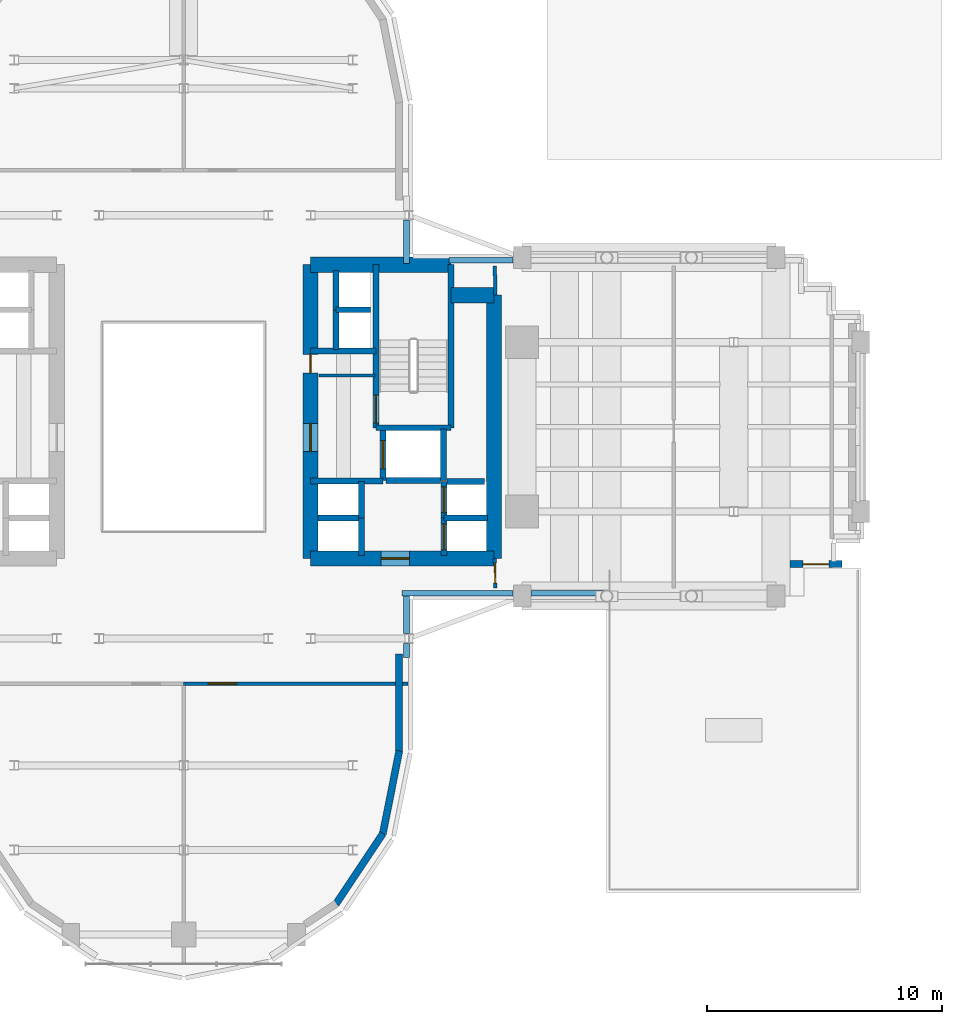
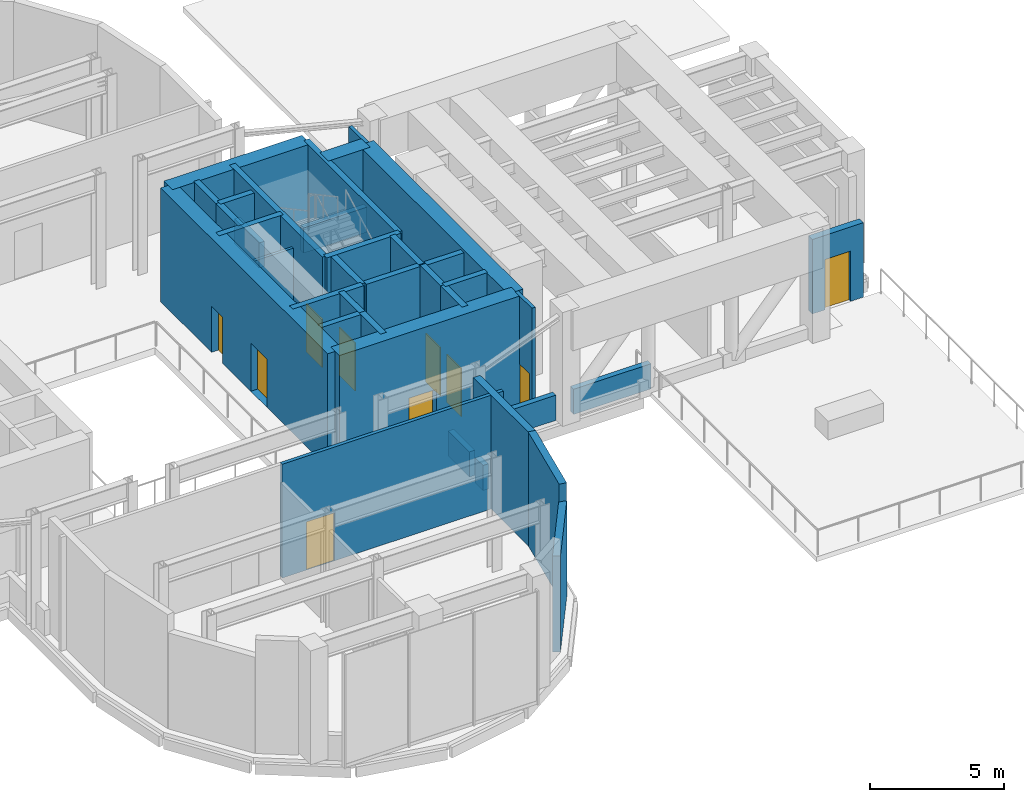
# One storey, part 10 of 16: 37 walls, 10 doors, 10 openings.
"""IFC4 building model written with IfcOpenShell, lengths in metres."""

from ifc_helpers import new_model, si_unit, direction, frame, frame_2d, origin, place, context, subcontext, project, spatial, rectangle, extrude, source, transform, mapped, material, layer, layer_set, type_object, element, fill, save


model = new_model("IFC4")

# Units and contexts
model_context = context("Model", 3, precision=1e-05, world=origin(), true_north=direction((0.0, 1.0)))
body_context = subcontext(model_context, "Body", "Model", "MODEL_VIEW")
ifc_project = project(units=[si_unit("LENGTHUNIT", "METRE"), si_unit("AREAUNIT", "SQUARE_METRE"), si_unit("VOLUMEUNIT", "CUBIC_METRE"), si_unit("PLANEANGLEUNIT", "RADIAN"), si_unit("MASSUNIT", "GRAM", prefix="KILO")], contexts=[model_context])

# Site, building, storey
site_placement = place(None, origin())
site = spatial("IfcSite", under=ifc_project, at=site_placement, CompositionType="ELEMENT")
building_placement = place(site_placement, origin())
building = spatial("IfcBuilding", under=site, at=building_placement, Name="Keilestroom Media Tower", CompositionType="ELEMENT")
storey_placement = place(building_placement, frame((0.0, 0.0, 25.199951171875)))
storey = spatial("IfcBuildingStorey", under=building, at=storey_placement, Name="L05", CompositionType="ELEMENT", Elevation=25.199951171875)

# Walls
ifc_material_1 = material(Name="Precast concrete C40/50", Category="concrete")
ifc_layer_1 = layer(ifc_material_1, 0.300048828125)
ifc_layer_set_1 = layer_set([ifc_layer_1], Name="Precast concrete C40/50")
wall_type_1 = type_object("IfcWallType", Name="Exterior-Masonry-Spandrel-Wall-300", PredefinedType="SOLIDWALL", material=ifc_layer_set_1)
wall_1_placement = place(storey_placement, frame((6.47705078125, -20.2978515625, 0.0), z_axis=(0.0, 0.0, 1.0), x_axis=(0.555574187116, 0.831466970246, 0.0)))
element("IfcWall", 1, at=wall_1_placement, inside=storey, type_object=wall_type_1, Name="L05 Plant Lobe Masonry Wall 14", PredefinedType="SOLIDWALL", context=body_context, shape_type="SweptSolid", body=[
    extrude(rectangle(XDim=3.608642578125, YDim=0.300048828125, at=frame_2d((1.80419921875, 0.0))), origin(), (0.0, 0.0, 1.0), 4.385986328125),
])
wall_2_placement = place(storey_placement, frame((8.470703125, -17.32470703125, 0.0), z_axis=(0.0, 0.0, 1.0), x_axis=(0.195114232679, 0.980780523974, 0.0)))
element("IfcWall", 2, at=wall_2_placement, inside=storey, type_object=wall_type_1, Name="L05 Plant Lobe Masonry Wall 15", PredefinedType="SOLIDWALL", context=body_context, shape_type="SweptSolid", body=[
    extrude(rectangle(XDim=3.608642578125, YDim=0.300048828125, at=frame_2d((1.80419921875, 0.0))), origin(), (0.0, 0.0, 1.0), 5.199951171875),
])
wall_3_placement = place(storey_placement, frame((9.171875, -13.830078125, 0.0), z_axis=(0.0, 0.0, 1.0), x_axis=(0.0, 1.0, 0.0)))
element("IfcWall", 3, at=wall_3_placement, inside=storey, type_object=wall_type_1, Name="L05 Plant Lobe Masonry Wall 16", PredefinedType="SOLIDWALL", context=body_context, shape_type="SweptSolid", body=[
    extrude(rectangle(XDim=4.170166015625, YDim=0.300048828125, at=frame_2d((2.0849609375, 0.0))), origin(), (0.0, 0.0, 1.0), 5.199951171875),
])

# Wall, opening, door
wall_4_placement = place(storey_placement, frame((25.7900390625, -5.840087890625, 0.0), z_axis=(0.0, 0.0, 1.0), x_axis=(1.0, 0.0, 0.0)))
wall_4 = element("IfcWall", 4, at=wall_4_placement, inside=storey, type_object=wall_type_1, Name="L05 Terrace Threshold Wall POD-SE", PredefinedType="SOLIDWALL", context=body_context, shape_type="SweptSolid", body=[
    extrude(rectangle(XDim=2.2099609375, YDim=0.300048828125, at=frame_2d((1.10498046875, 0.0))), origin(), (0.0, 0.0, 1.0), 3.400146484375),
])
opening_1_placement = place(wall_4_placement, frame((0.554931640625, 0.0, 0.0)))
opening_1 = element("IfcOpeningElement", 5, at=opening_1_placement, cuts=wall_4, Name="Opening DE-02", PredefinedType="OPENING", context=body_context, shape_type="SweptSolid", body=[
    extrude(rectangle(XDim=1.10009765625, YDim=2.300048828125, at=frame_2d((0.550048828125, 1.14990234375))), frame((0.0, 0.16015625, 0.0), z_axis=(0.0, -1.0, 0.0), x_axis=(1.0, 0.0, 0.0)), (0.0, 0.0, 1.0), 0.320068359375),
])
ifc_material_2 = material(Name="Thermally Broken Aluminium & Laminated Glass", Category="aluminium")
door_type_1 = type_object("IfcDoorType", Name="Exterior-Entrance-And-Terrace-Door-DE-02", OperationType="NOTDEFINED", PredefinedType="DOOR", material=ifc_material_2)
shared_shape_1 = source(origin(), body_context, "Body", "SweptSolid", [
    extrude(rectangle(XDim=1.10009765625, YDim=2.300048828125, at=frame_2d((0.550048828125, 1.14990234375))), frame((0.0, 0.02490234375, 0.0), z_axis=(0.0, -1.0, 0.0), x_axis=(1.0, 0.0, 0.0)), (0.0, 0.0, 1.0), 0.050048828125),
])
door_1_placement = place(opening_1_placement, frame((1.10009765625, 0.0, 0.0), z_axis=(0.0, 0.0, 1.0), x_axis=(-1.0, 0.0, 0.0)))
door_1 = element("IfcDoor", 6, at=door_1_placement, inside=storey, type_object=door_type_1, Name="L05 Terrace Access Door DE-02 POD-SE", OperationType="SINGLE_SWING_RIGHT", OverallHeight=2.300048828125, OverallWidth=1.10009765625, PredefinedType="DOOR", context=body_context, shape_type="MappedRepresentation", body=[
    mapped(shared_shape_1, transform((0.0, 0.0, 0.0), x_axis=(1.0, 0.0, 0.0), y_axis=(0.0, 1.0, 0.0), z_axis=(0.0, 0.0, 1.0), scale=1.0)),
])
fill(opening_1, door_1)

# Wall
ifc_material_3 = material(Name="Gypsum Plasterboard & Steel Stud", Category="steel")
ifc_layer_2 = layer(ifc_material_3, 0.1201171875)
ifc_layer_set_2 = layer_set([ifc_layer_2], Name="Gypsum Plasterboard & Steel Stud")
wall_type_2 = type_object("IfcWallType", Name="Interior-Partition-Wall-120", PredefinedType="PARTITIONING", material=ifc_layer_set_2)
wall_5_placement = place(storey_placement, frame((5.75, 2.179931640625, 0.0), z_axis=(0.0, 0.0, 1.0), x_axis=(1.0, 0.0, 0.0)))
element("IfcWall", 7, at=wall_5_placement, inside=storey, type_object=wall_type_2, Name="L05 Interior Wall WP-L05-CIE-S", PredefinedType="PARTITIONING", context=body_context, shape_type="SweptSolid", body=[
    extrude(rectangle(XDim=2.389892578125, YDim=0.1201171875, at=frame_2d((1.19482421875, 0.0))), origin(), (0.0, 0.0, 1.0), 4.300048828125),
])

# Wall, opening, door
ifc_layer_3 = layer(ifc_material_3, 0.14990234375)
ifc_layer_set_3 = layer_set([ifc_layer_3], Name="Gypsum Plasterboard & Steel Stud")
wall_type_3 = type_object("IfcWallType", Name="Interior-Partition-Wall-150", PredefinedType="PARTITIONING", material=ifc_layer_set_3)
wall_6_placement = place(storey_placement, frame((13.260009765625, -6.85009765625, 0.0), z_axis=(0.0, 0.0, 1.0), x_axis=(-0.016013571389, 0.999871774545, 0.0)))
wall_6 = element("IfcWall", 8, at=wall_6_placement, inside=storey, type_object=wall_type_3, Name="L05 Interior Wall WP-L05-REF-EW", PredefinedType="PARTITIONING", context=body_context, shape_type="SweptSolid", body=[
    extrude(rectangle(XDim=1.250244140625, YDim=0.14990234375, at=frame_2d((0.625, 0.0))), origin(), (0.0, 0.0, 1.0), 5.199951171875),
])
opening_2_placement = place(wall_6_placement, frame((0.199951171875, 0.0, 0.0)))
opening_2 = element("IfcOpeningElement", 9, at=opening_2_placement, cuts=wall_6, Name="Opening DI-05", PredefinedType="OPENING", context=body_context, shape_type="SweptSolid", body=[
    extrude(rectangle(XDim=0.85009765625, YDim=2.10009765625, at=frame_2d((0.425048828125, 1.050048828125))), frame((0.0, 0.0849609375, 0.0), z_axis=(0.0, -1.0, 0.0), x_axis=(1.0, 0.0, 0.0)), (0.0, 0.0, 1.0), 0.169921875),
])
ifc_material_4 = material(Name="Moisture-Resistant Oak Leaf", Category="wood")
door_type_2 = type_object("IfcDoorType", Name="Interior-En-Suite-And-Cupboard-Door-DI-05", OperationType="NOTDEFINED", PredefinedType="DOOR", material=ifc_material_4)
shared_shape_2 = source(origin(), body_context, "Body", "SweptSolid", [
    extrude(rectangle(XDim=0.85009765625, YDim=2.10009765625, at=frame_2d((0.425048828125, 1.050048828125))), frame((0.0, 0.02490234375, 0.0), z_axis=(0.0, -1.0, 0.0), x_axis=(1.0, 0.0, 0.0)), (0.0, 0.0, 1.0), 0.050048828125),
])
door_2_placement = place(opening_2_placement, origin())
door_2 = element("IfcDoor", 10, at=door_2_placement, inside=storey, type_object=door_type_2, Name="L05 Interior Door DI-L05-DRF-ES", OperationType="SINGLE_SWING_LEFT", OverallHeight=2.10009765625, OverallWidth=0.85009765625, PredefinedType="DOOR", context=body_context, shape_type="MappedRepresentation", body=[
    mapped(shared_shape_2, transform((0.0, 0.0, 0.0), x_axis=(1.0, 0.0, 0.0), y_axis=(0.0, 1.0, 0.0), z_axis=(0.0, 0.0, 1.0), scale=1.0)),
])
fill(opening_2, door_2)

# Wall
wall_7_placement = place(storey_placement, frame((13.260009765625, 5.60009765625, 0.0), z_axis=(0.0, 0.0, 1.0), x_axis=(-0.016013571389, 0.999871774545, 0.0)))
element("IfcWall", 11, at=wall_7_placement, inside=storey, type_object=wall_type_3, Name="L05 Interior Wall WP-L05-REF-ENK", PredefinedType="PARTITIONING", context=body_context, shape_type="SweptSolid", body=[
    extrude(rectangle(XDim=1.250244140625, YDim=0.14990234375, at=frame_2d((0.625, 0.0))), origin(), (0.0, 0.0, 1.0), 5.199951171875),
])

# Wall, opening, door
wall_8_placement = place(storey_placement, frame((0.0, -10.919921875, 0.0), z_axis=(0.0, 0.0, 1.0), x_axis=(1.0, 0.0, 0.0)))
wall_8 = element("IfcWall", 12, at=wall_8_placement, inside=storey, type_object=wall_type_3, Name="L05 Interior Wall WP-L05-PL-BMSS-N", PredefinedType="PARTITIONING", context=body_context, shape_type="SweptSolid", body=[
    extrude(rectangle(XDim=9.550048828125, YDim=0.14990234375, at=frame_2d((4.77490234375, 0.0))), origin(), (0.0, 0.0, 1.0), 5.199951171875),
])
opening_3_placement = place(wall_8_placement, frame((1.050048828125, 0.0, 0.0)))
opening_3 = element("IfcOpeningElement", 13, at=opening_3_placement, cuts=wall_8, Name="Opening DI-02", PredefinedType="OPENING", context=body_context, shape_type="SweptSolid", body=[
    extrude(rectangle(XDim=1.199951171875, YDim=2.199951171875, at=frame_2d((0.60009765625, 1.10009765625))), frame((0.0, 0.0849609375, 0.0), z_axis=(0.0, -1.0, 0.0), x_axis=(1.0, 0.0, 0.0)), (0.0, 0.0, 1.0), 0.169921875),
])
ifc_material_5 = material(Name="Powder-Coated Steel Fire Leaf", Category="steel")
door_type_3 = type_object("IfcDoorType", Name="Interior-Compartment-Fire-Door-DI-02", OperationType="NOTDEFINED", PredefinedType="DOOR", material=ifc_material_5)
shared_shape_3 = source(origin(), body_context, "Body", "SweptSolid", [
    extrude(rectangle(XDim=1.199951171875, YDim=2.199951171875, at=frame_2d((0.60009765625, 1.10009765625))), frame((0.0, 0.02490234375, 0.0), z_axis=(0.0, -1.0, 0.0), x_axis=(1.0, 0.0, 0.0)), (0.0, 0.0, 1.0), 0.050048828125),
])
door_3_placement = place(opening_3_placement, origin())
door_3 = element("IfcDoor", 14, at=door_3_placement, inside=storey, type_object=door_type_3, Name="L05 Interior Door DI-L05-PL-BMSS-D", OperationType="SINGLE_SWING_LEFT", OverallHeight=2.199951171875, OverallWidth=1.199951171875, PredefinedType="DOOR", context=body_context, shape_type="MappedRepresentation", body=[
    mapped(shared_shape_3, transform((0.0, 0.0, 0.0), x_axis=(1.0, 0.0, 0.0), y_axis=(0.0, 1.0, 0.0), z_axis=(0.0, 0.0, 1.0), scale=1.0)),
])
fill(opening_3, door_3)

# Wall
ifc_material_6 = material(Name="Concrete C70/85", Category="concrete")
ifc_layer_4 = layer(ifc_material_6, 0.64990234375)
ifc_layer_set_4 = layer_set([ifc_layer_4], Name="Concrete C70/85")
wall_type_4 = type_object("IfcWallType", Name="Reinforced-Concrete-Core-Shear-Wall-650", PredefinedType="SHEAR", material=ifc_layer_set_4)
wall_9_placement = place(storey_placement, frame((13.199951171875, -5.60009765625, 0.0), z_axis=(0.0, 0.0, 1.0), x_axis=(0.0, 1.0, 0.0)))
element("IfcWall", 15, at=wall_9_placement, inside=storey, type_object=wall_type_4, Name="L05 Core Shear Wall WL-L05-CORE-E-OUT", PredefinedType="SHEAR", context=body_context, shape_type="SweptSolid", body=[
    extrude(rectangle(XDim=11.2001953125, YDim=0.64990234375, at=frame_2d((5.60009765625, 0.0))), origin(), (0.0, 0.0, 1.0), 5.199951171875),
])

# Wall, openings, doors
wall_10_placement = place(storey_placement, frame((5.39990234375, -5.60009765625, 0.0), z_axis=(0.0, 0.0, 1.0), x_axis=(0.0, 1.0, 0.0)))
wall_10 = element("IfcWall", 16, at=wall_10_placement, inside=storey, type_object=wall_type_4, Name="L05 Core Shear Wall WL-L05-CORE-E-IN", PredefinedType="SHEAR", context=body_context, shape_type="SweptSolid", body=[
    extrude(rectangle(XDim=12.5, YDim=0.64990234375, at=frame_2d((6.25, 0.0))), origin(), (0.0, 0.0, 1.0), 5.199951171875),
])
opening_4_placement = place(wall_10_placement, frame((4.550048828125, 0.0, 0.0)))
opening_4 = element("IfcOpeningElement", 17, at=opening_4_placement, cuts=wall_10, Name="Opening DI-02", PredefinedType="OPENING", context=body_context, shape_type="SweptSolid", body=[
    extrude(rectangle(XDim=1.199951171875, YDim=2.199951171875, at=frame_2d((0.60009765625, 1.10009765625))), frame((0.0, 0.3349609375, 0.0), z_axis=(0.0, -1.0, 0.0), x_axis=(1.0, 0.0, 0.0)), (0.0, 0.0, 1.0), 0.669921875),
])
opening_5_placement = place(wall_10_placement, frame((7.8798828125, 0.0, 0.0)))
opening_5 = element("IfcOpeningElement", 18, at=opening_5_placement, cuts=wall_10, Name="Opening DI-06", PredefinedType="OPENING", context=body_context, shape_type="SweptSolid", body=[
    extrude(rectangle(XDim=0.800048828125, YDim=2.10009765625, at=frame_2d((0.39990234375, 1.050048828125))), frame((0.0, 0.3349609375, 0.0), z_axis=(0.0, -1.0, 0.0), x_axis=(1.0, 0.0, 0.0)), (0.0, 0.0, 1.0), 0.669921875),
])
door_4_placement = place(opening_4_placement, origin())
door_4 = element("IfcDoor", 19, at=door_4_placement, inside=storey, type_object=door_type_3, Name="L05 E Firefighting Lobby Door", OperationType="SINGLE_SWING_LEFT", OverallHeight=2.199951171875, OverallWidth=1.199951171875, PredefinedType="DOOR", context=body_context, shape_type="MappedRepresentation", body=[
    mapped(shared_shape_3, transform((0.0, 0.0, 0.0), x_axis=(1.0, 0.0, 0.0), y_axis=(0.0, 1.0, 0.0), z_axis=(0.0, 0.0, 1.0), scale=1.0)),
])
fill(opening_4, door_4)
ifc_material_7 = material(Name="Powder-Coated Steel Service Leaf", Category="steel")
door_type_4 = type_object("IfcDoorType", Name="Interior-Riser-Access-Door-DI-06", OperationType="NOTDEFINED", PredefinedType="DOOR", material=ifc_material_7)
shared_shape_4 = source(origin(), body_context, "Body", "SweptSolid", [
    extrude(rectangle(XDim=0.800048828125, YDim=2.10009765625, at=frame_2d((0.39990234375, 1.050048828125))), frame((0.0, 0.02490234375, 0.0), z_axis=(0.0, -1.0, 0.0), x_axis=(1.0, 0.0, 0.0)), (0.0, 0.0, 1.0), 0.050048828125),
])
door_5_placement = place(opening_5_placement, origin())
door_5 = element("IfcDoor", 20, at=door_5_placement, inside=storey, type_object=door_type_4, Name="L05 East Core Closet Door", OperationType="SINGLE_SWING_RIGHT", OverallHeight=2.10009765625, OverallWidth=0.800048828125, PredefinedType="DOOR", context=body_context, shape_type="MappedRepresentation", body=[
    mapped(shared_shape_4, transform((0.0, 0.0, 0.0), x_axis=(1.0, 0.0, 0.0), y_axis=(0.0, 1.0, 0.0), z_axis=(0.0, 0.0, 1.0), scale=1.0)),
])
fill(opening_5, door_5)

# Walls
wall_11_placement = place(storey_placement, frame((5.39990234375, 6.89990234375, 0.0), z_axis=(0.0, 0.0, 1.0), x_axis=(1.0, 0.0, 0.0)))
element("IfcWall", 21, at=wall_11_placement, inside=storey, type_object=wall_type_4, Name="L05 Core Shear Wall WL-L05-CORE-E-N", PredefinedType="SHEAR", context=body_context, shape_type="SweptSolid", body=[
    extrude(rectangle(XDim=5.981201171875, YDim=0.64990234375, at=frame_2d((2.99072265625, 0.0))), origin(), (0.0, 0.0, 1.0), 5.199951171875),
])
wall_12_placement = place(storey_placement, frame((11.381103515625, 5.60009765625, 0.0), z_axis=(0.0, 0.0, 1.0), x_axis=(1.0, 0.0, 0.0)))
element("IfcWall", 22, at=wall_12_placement, inside=storey, type_object=wall_type_4, Name="L05 Core Shear Wall WL-L05-CNE-N", PredefinedType="SHEAR", context=body_context, shape_type="SweptSolid", body=[
    extrude(rectangle(XDim=1.81884765625, YDim=0.64990234375, at=frame_2d((0.909423828125, 0.0))), origin(), (0.0, 0.0, 1.0), 5.199951171875),
])

# Wall, opening, door
wall_13_placement = place(storey_placement, frame((5.39990234375, -5.60009765625, 0.0), z_axis=(0.0, 0.0, 1.0), x_axis=(1.0, 0.0, 0.0)))
wall_13 = element("IfcWall", 23, at=wall_13_placement, inside=storey, type_object=wall_type_4, Name="L05 Core Shear Wall WL-L05-CORE-E-S", PredefinedType="SHEAR", context=body_context, shape_type="SweptSolid", body=[
    extrude(rectangle(XDim=7.800048828125, YDim=0.64990234375, at=frame_2d((3.89990234375, 0.0))), origin(), (0.0, 0.0, 1.0), 5.199951171875),
])
opening_6_placement = place(wall_13_placement, frame((3.0, 0.0, 0.0)))
opening_6 = element("IfcOpeningElement", 24, at=opening_6_placement, cuts=wall_13, Name="Opening DI-02", PredefinedType="OPENING", context=body_context, shape_type="SweptSolid", body=[
    extrude(rectangle(XDim=1.199951171875, YDim=2.199951171875, at=frame_2d((0.60009765625, 1.10009765625))), frame((0.0, 0.3349609375, 0.0), z_axis=(0.0, -1.0, 0.0), x_axis=(1.0, 0.0, 0.0)), (0.0, 0.0, 1.0), 0.669921875),
])
door_6_placement = place(opening_6_placement, origin())
door_6 = element("IfcDoor", 25, at=door_6_placement, inside=storey, type_object=door_type_3, Name="L05 E Passenger Lift Lobby Door", OperationType="SINGLE_SWING_RIGHT", OverallHeight=2.199951171875, OverallWidth=1.199951171875, PredefinedType="DOOR", context=body_context, shape_type="MappedRepresentation", body=[
    mapped(shared_shape_3, transform((0.0, 0.0, 0.0), x_axis=(1.0, 0.0, 0.0), y_axis=(0.0, 1.0, 0.0), z_axis=(0.0, 0.0, 1.0), scale=1.0)),
])
fill(opening_6, door_6)

# Walls
ifc_material_8 = material(Name="Concrete C50/60", Category="concrete")
ifc_layer_5 = layer(ifc_material_8, 0.25)
ifc_layer_set_5 = layer_set([ifc_layer_5], Name="Concrete C50/60")
wall_type_5 = type_object("IfcWallType", Name="Reinforced-Concrete-Shaft-Wall-250", PredefinedType="SOLIDWALL", material=ifc_layer_set_5)
wall_14_placement = place(storey_placement, frame((5.39990234375, 3.219970703125, 0.0), z_axis=(0.0, 0.0, 1.0), x_axis=(1.0, 0.0, 0.0)))
element("IfcWall", 26, at=wall_14_placement, inside=storey, type_object=wall_type_5, Name="L05 Core Shear Wall WL-L05-CORE-E-FFN", PredefinedType="SOLIDWALL", context=body_context, shape_type="SweptSolid", body=[
    extrude(rectangle(XDim=2.780029296875, YDim=0.25, at=frame_2d((1.39013671875, 0.0))), origin(), (0.0, 0.0, 1.0), 5.199951171875),
])
wall_15_placement = place(storey_placement, frame((5.39990234375, -2.300048828125, 0.0), z_axis=(0.0, 0.0, 1.0), x_axis=(1.0, 0.0, 0.0)))
element("IfcWall", 27, at=wall_15_placement, inside=storey, type_object=wall_type_5, Name="L05 Core Shear Wall WL-L05-CORE-E-FFS", PredefinedType="SOLIDWALL", context=body_context, shape_type="SweptSolid", body=[
    extrude(rectangle(XDim=3.080078125, YDim=0.25, at=frame_2d((1.5400390625, 0.0))), origin(), (0.0, 0.0, 1.0), 5.199951171875),
])

# Wall, opening, door
wall_16_placement = place(storey_placement, frame((8.178955078125, -0.041015625, 0.0), z_axis=(0.0, 0.0, 1.0), x_axis=(0.0, 1.0, 0.0)))
wall_16 = element("IfcWall", 28, at=wall_16_placement, inside=storey, type_object=wall_type_5, Name="L05 Core Shear Wall WL-L05-STW-E-NEAR", PredefinedType="SOLIDWALL", context=body_context, shape_type="SweptSolid", body=[
    extrude(rectangle(XDim=6.94091796875, YDim=0.25, at=frame_2d((3.470458984375, 0.0))), origin(), (0.0, 0.0, 1.0), 5.199951171875),
])
opening_7_placement = place(wall_16_placement, frame((0.199951171875, 0.0, 0.0)))
opening_7 = element("IfcOpeningElement", 29, at=opening_7_placement, cuts=wall_16, Name="Opening DI-01S", PredefinedType="OPENING", context=body_context, shape_type="SweptSolid", body=[
    extrude(rectangle(XDim=1.199951171875, YDim=2.199951171875, at=frame_2d((0.60009765625, 1.10009765625))), frame((0.0, 0.135009765625, 0.0), z_axis=(0.0, -1.0, 0.0), x_axis=(1.0, 0.0, 0.0)), (0.0, 0.0, 1.0), 0.27001953125),
])
door_type_5 = type_object("IfcDoorType", Name="Interior-Stair-And-Core-Fire-Door-DI-01", OperationType="NOTDEFINED", PredefinedType="DOOR", material=ifc_material_5)
door_7_placement = place(opening_7_placement, origin())
door_7 = element("IfcDoor", 30, at=door_7_placement, inside=storey, type_object=door_type_5, Name="L05 Escape Stair ST-2 Fire Door", OperationType="SINGLE_SWING_RIGHT", OverallHeight=2.199951171875, OverallWidth=1.199951171875, PredefinedType="DOOR", context=body_context, shape_type="MappedRepresentation", body=[
    mapped(shared_shape_3, transform((0.0, 0.0, 0.0), x_axis=(1.0, 0.0, 0.0), y_axis=(0.0, 1.0, 0.0), z_axis=(0.0, 0.0, 1.0), scale=1.0)),
])
fill(opening_7, door_7)

# Walls
wall_17_placement = place(storey_placement, frame((11.381103515625, -0.041015625, 0.0), z_axis=(0.0, 0.0, 1.0), x_axis=(0.0, 1.0, 0.0)))
element("IfcWall", 31, at=wall_17_placement, inside=storey, type_object=wall_type_5, Name="L05 Core Shear Wall WL-L05-STW-E-FAR", PredefinedType="SOLIDWALL", context=body_context, shape_type="SweptSolid", body=[
    extrude(rectangle(XDim=6.94091796875, YDim=0.25, at=frame_2d((3.470458984375, 0.0))), origin(), (0.0, 0.0, 1.0), 5.199951171875),
])
wall_18_placement = place(storey_placement, frame((8.178955078125, -0.041015625, 0.0), z_axis=(0.0, 0.0, 1.0), x_axis=(1.0, 0.0, 0.0)))
element("IfcWall", 32, at=wall_18_placement, inside=storey, type_object=wall_type_5, Name="L05 Core Shear Wall WL-L05-STW-E-S", PredefinedType="SOLIDWALL", context=body_context, shape_type="SweptSolid", body=[
    extrude(rectangle(XDim=3.2021484375, YDim=0.25, at=frame_2d((1.60107421875, 0.0))), origin(), (0.0, 0.0, 1.0), 5.199951171875),
])

# Wall, opening, door
wall_19_placement = place(storey_placement, frame((8.47998046875, -2.280029296875, 0.0), z_axis=(0.0, 0.0, 1.0), x_axis=(0.0, 1.0, 0.0)))
wall_19 = element("IfcWall", 33, at=wall_19_placement, inside=storey, type_object=wall_type_5, Name="L05 Core Shear Wall WL-L05-LSH-FFL-2-W", PredefinedType="SOLIDWALL", context=body_context, shape_type="SweptSolid", body=[
    extrude(rectangle(XDim=2.179931640625, YDim=0.25, at=frame_2d((1.08984375, 0.0))), origin(), (0.0, 0.0, 1.0), 5.199951171875),
])
opening_8_placement = place(wall_19_placement, frame((0.489990234375, 0.0, 0.0)))
opening_8 = element("IfcOpeningElement", 34, at=opening_8_placement, cuts=wall_19, Name="Opening LD-02", PredefinedType="OPENING", context=body_context, shape_type="SweptSolid", body=[
    extrude(rectangle(XDim=1.199951171875, YDim=2.199951171875, at=frame_2d((0.60009765625, 1.10009765625))), frame((0.0, 0.135009765625, 0.0), z_axis=(0.0, -1.0, 0.0), x_axis=(1.0, 0.0, 0.0)), (0.0, 0.0, 1.0), 0.27001953125),
])
ifc_material_9 = material(Name="Brushed Stainless Steel Sliding Leaf", Category="steel")
door_type_6 = type_object("IfcDoorType", Name="Lift-Landing-Sliding-Door-LD-02", OperationType="SLIDING_TO_RIGHT", PredefinedType="DOOR", material=ifc_material_9)
door_8_placement = place(opening_8_placement, origin())
door_8 = element("IfcDoor", 35, at=door_8_placement, inside=storey, type_object=door_type_6, Name="L05 Lift FFL-2 Landing Sliding Door", OperationType="SLIDING_TO_RIGHT", OverallHeight=2.199951171875, OverallWidth=1.199951171875, PredefinedType="DOOR", context=body_context, shape_type="MappedRepresentation", body=[
    mapped(shared_shape_3, transform((0.0, 0.0, 0.0), x_axis=(1.0, 0.0, 0.0), y_axis=(0.0, 1.0, 0.0), z_axis=(0.0, 0.0, 1.0), scale=1.0)),
])
fill(opening_8, door_8)

# Walls
wall_20_placement = place(storey_placement, frame((11.050048828125, -2.280029296875, 0.0), z_axis=(0.0, 0.0, 1.0), x_axis=(0.0, 1.0, 0.0)))
element("IfcWall", 36, at=wall_20_placement, inside=storey, type_object=wall_type_5, Name="L05 Core Shear Wall WL-L05-LSH-FFL-2-E", PredefinedType="SOLIDWALL", context=body_context, shape_type="SweptSolid", body=[
    extrude(rectangle(XDim=2.179931640625, YDim=0.25, at=frame_2d((1.08984375, 0.0))), origin(), (0.0, 0.0, 1.0), 5.199951171875),
])
wall_21_placement = place(storey_placement, frame((8.60888671875, -2.280029296875, 0.0), z_axis=(0.0, 0.0, 1.0), x_axis=(1.0, 0.0, 0.0)))
element("IfcWall", 37, at=wall_21_placement, inside=storey, type_object=wall_type_5, Name="L05 Core Shear Wall WL-L05-LSH-FFL-2-S", PredefinedType="SOLIDWALL", context=body_context, shape_type="SweptSolid", body=[
    extrude(rectangle(XDim=2.31201171875, YDim=0.25, at=frame_2d((1.156005859375, 0.0))), origin(), (0.0, 0.0, 1.0), 5.199951171875),
])

# Wall, opening, door
wall_22_placement = place(storey_placement, frame((11.080078125, -5.47998046875, 0.0), z_axis=(0.0, 0.0, 1.0), x_axis=(0.0, 1.0, 0.0)))
wall_22 = element("IfcWall", 38, at=wall_22_placement, inside=storey, type_object=wall_type_5, Name="L05 Core Shear Wall WL-L05-LSH-PL-L3-W", PredefinedType="SOLIDWALL", context=body_context, shape_type="SweptSolid", body=[
    extrude(rectangle(XDim=1.60009765625, YDim=0.25, at=frame_2d((0.800048828125, 0.0))), origin(), (0.0, 0.0, 1.0), 5.199951171875),
])
opening_9_placement = place(wall_22_placement, frame((0.25, 0.0, 0.0)))
opening_9 = element("IfcOpeningElement", 39, at=opening_9_placement, cuts=wall_22, Name="Opening LD-01", PredefinedType="OPENING", context=body_context, shape_type="SweptSolid", body=[
    extrude(rectangle(XDim=1.10009765625, YDim=2.199951171875, at=frame_2d((0.550048828125, 1.10009765625))), frame((0.0, 0.135009765625, 0.0), z_axis=(0.0, -1.0, 0.0), x_axis=(1.0, 0.0, 0.0)), (0.0, 0.0, 1.0), 0.27001953125),
])
door_type_7 = type_object("IfcDoorType", Name="Lift-Landing-Sliding-Door-LD-01", OperationType="SLIDING_TO_LEFT", PredefinedType="DOOR", material=ifc_material_9)
shared_shape_5 = source(origin(), body_context, "Body", "SweptSolid", [
    extrude(rectangle(XDim=1.10009765625, YDim=2.199951171875, at=frame_2d((0.550048828125, 1.10009765625))), frame((0.0, 0.02490234375, 0.0), z_axis=(0.0, -1.0, 0.0), x_axis=(1.0, 0.0, 0.0)), (0.0, 0.0, 1.0), 0.050048828125),
])
door_9_placement = place(opening_9_placement, origin())
door_9 = element("IfcDoor", 40, at=door_9_placement, inside=storey, type_object=door_type_7, Name="L05 Lift PL-L3 Landing Sliding Door", OperationType="SLIDING_TO_LEFT", OverallHeight=2.199951171875, OverallWidth=1.10009765625, PredefinedType="DOOR", context=body_context, shape_type="MappedRepresentation", body=[
    mapped(shared_shape_5, transform((0.0, 0.0, 0.0), x_axis=(1.0, 0.0, 0.0), y_axis=(0.0, 1.0, 0.0), z_axis=(0.0, 0.0, 1.0), scale=1.0)),
])
fill(opening_9, door_9)

# Wall
wall_23_placement = place(storey_placement, frame((11.080078125, -3.8798828125, 0.0), z_axis=(0.0, 0.0, 1.0), x_axis=(1.0, 0.0, 0.0)))
element("IfcWall", 41, at=wall_23_placement, inside=storey, type_object=wall_type_5, Name="L05 Core Shear Wall WL-L05-LSH-PL-L3-N", PredefinedType="SOLIDWALL", context=body_context, shape_type="SweptSolid", body=[
    extrude(rectangle(XDim=1.83984375, YDim=0.25, at=frame_2d((0.919921875, 0.0))), origin(), (0.0, 0.0, 1.0), 5.199951171875),
])

# Wall, opening, door
wall_24_placement = place(storey_placement, frame((11.080078125, -3.8798828125, 0.0), z_axis=(0.0, 0.0, 1.0), x_axis=(0.0, 1.0, 0.0)))
wall_24 = element("IfcWall", 42, at=wall_24_placement, inside=storey, type_object=wall_type_5, Name="L05 Core Shear Wall WL-L05-LSH-PL-L4-W", PredefinedType="SOLIDWALL", context=body_context, shape_type="SweptSolid", body=[
    extrude(rectangle(XDim=1.559814453125, YDim=0.25, at=frame_2d((0.77978515625, 0.0))), origin(), (0.0, 0.0, 1.0), 5.199951171875),
])
opening_10_placement = place(wall_24_placement, frame((0.22998046875, 0.0, 0.0)))
opening_10 = element("IfcOpeningElement", 43, at=opening_10_placement, cuts=wall_24, Name="Opening LD-01", PredefinedType="OPENING", context=body_context, shape_type="SweptSolid", body=[
    extrude(rectangle(XDim=1.10009765625, YDim=2.199951171875, at=frame_2d((0.550048828125, 1.10009765625))), frame((0.0, 0.135009765625, 0.0), z_axis=(0.0, -1.0, 0.0), x_axis=(1.0, 0.0, 0.0)), (0.0, 0.0, 1.0), 0.27001953125),
])
door_10_placement = place(opening_10_placement, origin())
door_10 = element("IfcDoor", 44, at=door_10_placement, inside=storey, type_object=door_type_7, Name="L05 Lift PL-L4 Landing Sliding Door", OperationType="SLIDING_TO_LEFT", OverallHeight=2.199951171875, OverallWidth=1.10009765625, PredefinedType="DOOR", context=body_context, shape_type="MappedRepresentation", body=[
    mapped(shared_shape_5, transform((0.0, 0.0, 0.0), x_axis=(1.0, 0.0, 0.0), y_axis=(0.0, 1.0, 0.0), z_axis=(0.0, 0.0, 1.0), scale=1.0)),
])
fill(opening_10, door_10)

# Walls
wall_25_placement = place(storey_placement, frame((11.208984375, -2.320068359375, 0.0), z_axis=(0.0, 0.0, 1.0), x_axis=(1.0, 0.0, 0.0)))
element("IfcWall", 45, at=wall_25_placement, inside=storey, type_object=wall_type_5, Name="L05 Core Shear Wall WL-L05-LSH-PL-L4-N", PredefinedType="SOLIDWALL", context=body_context, shape_type="SweptSolid", body=[
    extrude(rectangle(XDim=1.58203125, YDim=0.25, at=frame_2d((0.791015625, 0.0))), origin(), (0.0, 0.0, 1.0), 5.199951171875),
])
wall_26_placement = place(storey_placement, frame((7.56005859375, -5.47998046875, 0.0), z_axis=(0.0, 0.0, 1.0), x_axis=(0.0, 1.0, 0.0)))
element("IfcWall", 46, at=wall_26_placement, inside=storey, type_object=wall_type_5, Name="L05 Core Shear Wall WL-L05-LSH-PL-M3-E", PredefinedType="SOLIDWALL", context=body_context, shape_type="SweptSolid", body=[
    extrude(rectangle(XDim=1.60009765625, YDim=0.25, at=frame_2d((0.800048828125, 0.0))), origin(), (0.0, 0.0, 1.0), 5.199951171875),
])
wall_27_placement = place(storey_placement, frame((5.719970703125, -3.8798828125, 0.0), z_axis=(0.0, 0.0, 1.0), x_axis=(1.0, 0.0, 0.0)))
element("IfcWall", 47, at=wall_27_placement, inside=storey, type_object=wall_type_5, Name="L05 Core Shear Wall WL-L05-LSH-PL-M3-N", PredefinedType="SOLIDWALL", context=body_context, shape_type="SweptSolid", body=[
    extrude(rectangle(XDim=1.840087890625, YDim=0.25, at=frame_2d((0.919921875, 0.0))), origin(), (0.0, 0.0, 1.0), 5.199951171875),
])
wall_28_placement = place(storey_placement, frame((7.56005859375, -3.8798828125, 0.0), z_axis=(0.0, 0.0, 1.0), x_axis=(0.0, 1.0, 0.0)))
element("IfcWall", 48, at=wall_28_placement, inside=storey, type_object=wall_type_5, Name="L05 Core Shear Wall WL-L05-LSH-PL-M4-E", PredefinedType="SOLIDWALL", context=body_context, shape_type="SweptSolid", body=[
    extrude(rectangle(XDim=1.559814453125, YDim=0.25, at=frame_2d((0.77978515625, 0.0))), origin(), (0.0, 0.0, 1.0), 5.199951171875),
])
wall_29_placement = place(storey_placement, frame((6.47998046875, 3.300048828125, 0.0), z_axis=(0.0, 0.0, 1.0), x_axis=(0.0, 1.0, 0.0)))
element("IfcWall", 49, at=wall_29_placement, inside=storey, type_object=wall_type_5, Name="L05 Core Shear Wall WL-L05-LSH-PL-H3-W", PredefinedType="SOLIDWALL", context=body_context, shape_type="SweptSolid", body=[
    extrude(rectangle(XDim=1.679931640625, YDim=0.25, at=frame_2d((0.83984375, 0.0))), origin(), (0.0, 0.0, 1.0), 5.199951171875),
])
wall_30_placement = place(storey_placement, frame((6.47998046875, 4.97998046875, 0.0), z_axis=(0.0, 0.0, 1.0), x_axis=(1.0, 0.0, 0.0)))
element("IfcWall", 50, at=wall_30_placement, inside=storey, type_object=wall_type_5, Name="L05 Core Shear Wall WL-L05-LSH-PL-H3-N", PredefinedType="SOLIDWALL", context=body_context, shape_type="SweptSolid", body=[
    extrude(rectangle(XDim=1.469970703125, YDim=0.25, at=frame_2d((0.73486328125, 0.0))), origin(), (0.0, 0.0, 1.0), 5.199951171875),
])
wall_31_placement = place(storey_placement, frame((6.47998046875, 4.97998046875, 0.0), z_axis=(0.0, 0.0, 1.0), x_axis=(0.0, 1.0, 0.0)))
element("IfcWall", 51, at=wall_31_placement, inside=storey, type_object=wall_type_5, Name="L05 Core Shear Wall WL-L05-LSH-PL-H4-W", PredefinedType="SOLIDWALL", context=body_context, shape_type="SweptSolid", body=[
    extrude(rectangle(XDim=1.669921875, YDim=0.25, at=frame_2d((0.8349609375, 0.0))), origin(), (0.0, 0.0, 1.0), 5.199951171875),
])
ifc_layer_6 = layer(ifc_material_1, 0.239990234375)
ifc_layer_set_6 = layer_set([ifc_layer_6], Name="Precast concrete C40/50")
wall_type_6 = type_object("IfcWallType", Name="Roof-And-Terrace-Parapet-Wall-240", PredefinedType="PARAPET", material=ifc_layer_set_6)
wall_32_placement = place(storey_placement, frame((18.119384765625, -7.080078125, 0.0), z_axis=(0.0, 0.0, 1.0), x_axis=(-1.0, 0.0, 0.0)))
element("IfcWall", 52, at=wall_32_placement, inside=storey, type_object=wall_type_6, Name="L05 Perimeter Edge Parapet Wall 02", PredefinedType="PARAPET", context=body_context, shape_type="SweptSolid", body=[
    extrude(rectangle(XDim=3.34130859375, YDim=0.239990234375, at=frame_2d((1.670654296875, 0.0))), origin(), (0.0, 0.0, 1.0), 1.150146484375),
])
wall_33_placement = place(storey_placement, frame((14.02197265625, -7.080078125, 0.0), z_axis=(0.0, 0.0, 1.0), x_axis=(-1.0, 0.0, 0.0)))
element("IfcWall", 53, at=wall_33_placement, inside=storey, type_object=wall_type_6, Name="L05 Perimeter Edge Parapet Wall 03", PredefinedType="PARAPET", context=body_context, shape_type="SweptSolid", body=[
    extrude(rectangle(XDim=4.741943359375, YDim=0.239990234375, at=frame_2d((2.37109375, 0.0))), origin(), (0.0, 0.0, 1.0), 1.150146484375),
])
wall_34_placement = place(storey_placement, frame((9.47998046875, -7.202880859375, 0.0), z_axis=(0.0, 0.0, 1.0), x_axis=(0.0, -1.0, 0.0)))
element("IfcWall", 54, at=wall_34_placement, inside=storey, type_object=wall_type_6, Name="L05 Perimeter Edge Parapet Wall 04", PredefinedType="PARAPET", context=body_context, shape_type="SweptSolid", body=[
    extrude(rectangle(XDim=1.586181640625, YDim=0.239990234375, at=frame_2d((0.79296875, 0.0))), origin(), (0.0, 0.0, 1.0), 1.150146484375),
])
wall_35_placement = place(storey_placement, frame((9.47998046875, -9.2109375, 0.0), z_axis=(0.0, 0.0, 1.0), x_axis=(0.0, -1.0, 0.0)))
element("IfcWall", 55, at=wall_35_placement, inside=storey, type_object=wall_type_6, Name="L05 Perimeter Edge Parapet Wall 05", PredefinedType="PARAPET", context=body_context, shape_type="SweptSolid", body=[
    extrude(rectangle(XDim=0.6044921875, YDim=0.239990234375, at=frame_2d((0.30224609375, 0.0))), origin(), (0.0, 0.0, 1.0), 1.150146484375),
])
wall_36_placement = place(storey_placement, frame((9.47998046875, 8.7890625, 0.0), z_axis=(0.0, 0.0, 1.0), x_axis=(0.0, -1.0, 0.0)))
element("IfcWall", 56, at=wall_36_placement, inside=storey, type_object=wall_type_6, Name="L05 Perimeter Edge Parapet Wall 28", PredefinedType="PARAPET", context=body_context, shape_type="SweptSolid", body=[
    extrude(rectangle(XDim=1.836181640625, YDim=0.239990234375, at=frame_2d((0.91796875, 0.0))), origin(), (0.0, 0.0, 1.0), 1.150146484375),
])
wall_37_placement = place(storey_placement, frame((11.294921875, 7.080078125, 0.0), z_axis=(0.0, 0.0, 1.0), x_axis=(1.0, 0.0, 0.0)))
element("IfcWall", 57, at=wall_37_placement, inside=storey, type_object=wall_type_6, Name="L05 Perimeter Edge Parapet Wall 29", PredefinedType="PARAPET", context=body_context, shape_type="SweptSolid", body=[
    extrude(rectangle(XDim=2.72705078125, YDim=0.239990234375, at=frame_2d((1.363525390625, 0.0))), origin(), (0.0, 0.0, 1.0), 1.150146484375),
])

save(model, "model.ifc")
